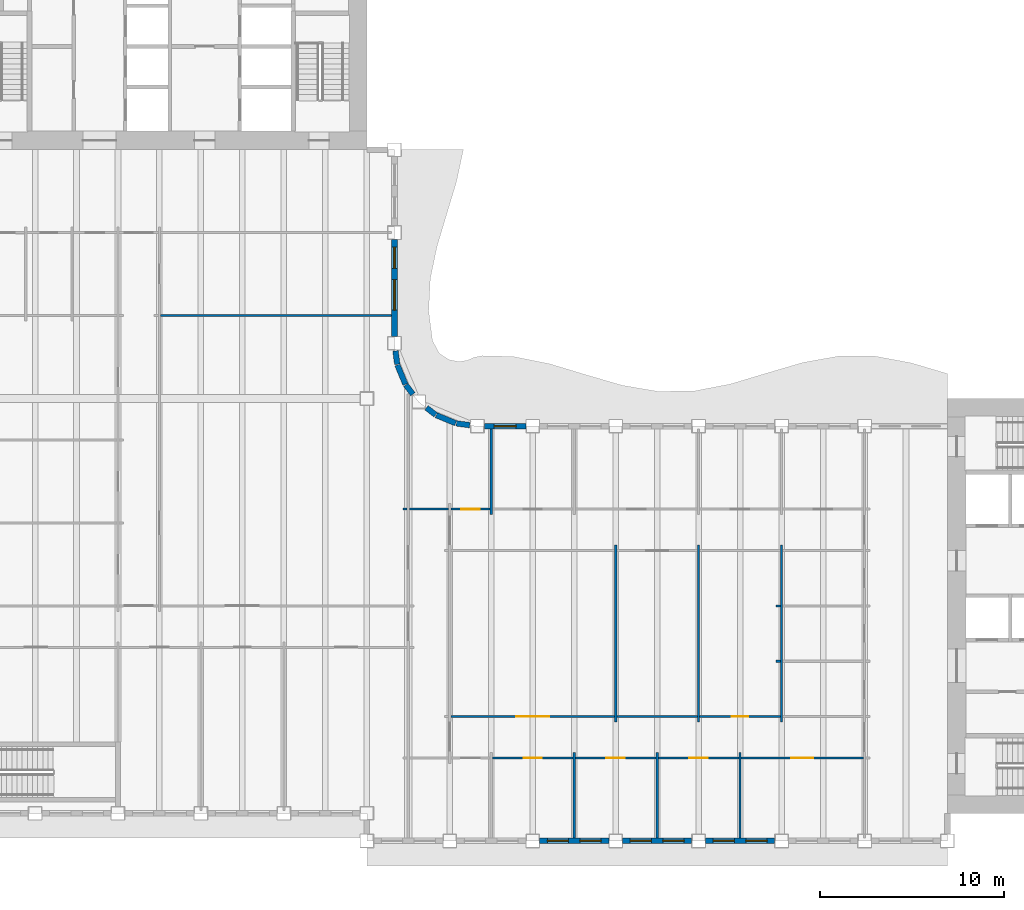
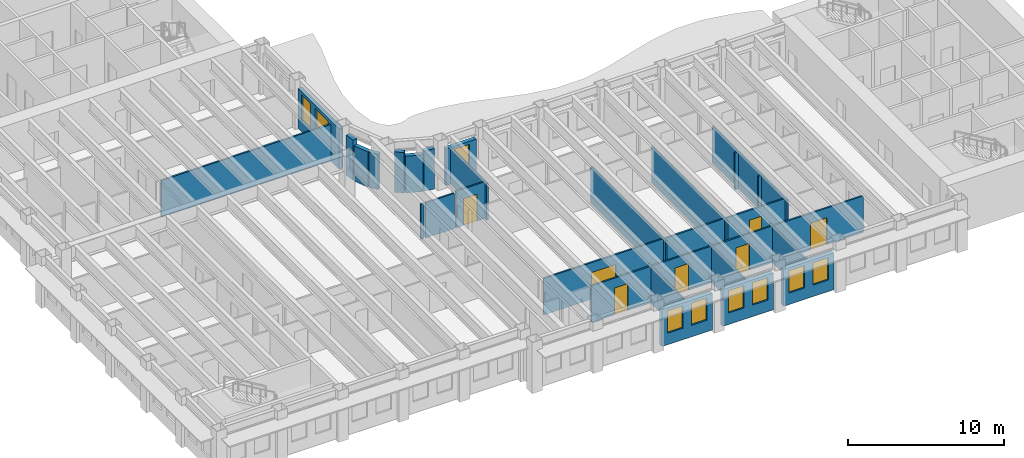
# One storey, part 5 of 17: 31 walls, 9 windows, 7 doors, 16 openings.
"""IFC4 building model written with IfcOpenShell, lengths in metres."""

from ifc_helpers import new_model, si_unit, direction, frame, frame_2d, origin, place, context, subcontext, project, spatial, rectangle, extrude, material, layer, layer_set, type_object, element, fill, save


model = new_model("IFC4")

# Units and contexts
model_context = context("Model", 3, precision=1e-05, world=origin(), true_north=direction((0.0, 1.0)))
body_context = subcontext(model_context, "Body", "Model", "MODEL_VIEW")
ifc_project = project(units=[si_unit("LENGTHUNIT", "METRE"), si_unit("AREAUNIT", "SQUARE_METRE"), si_unit("VOLUMEUNIT", "CUBIC_METRE"), si_unit("PLANEANGLEUNIT", "RADIAN"), si_unit("MASSUNIT", "GRAM", prefix="KILO")], contexts=[model_context])

# Site, building, storey
site_placement = place(None, origin())
site = spatial("IfcSite", under=ifc_project, at=site_placement, CompositionType="ELEMENT")
building_placement = place(site_placement, origin())
building = spatial("IfcBuilding", under=site, at=building_placement, Name="Sennacour Bend Tower", CompositionType="ELEMENT")
storey_placement = place(building_placement, frame((0.0, 0.0, 199.0)))
storey = spatial("IfcBuildingStorey", under=building, at=storey_placement, Name="L45", CompositionType="ELEMENT", Elevation=199.0)

# Walls
ifc_material_1 = material(Name="Plasterboard partition on steel studs", Category="steel")
ifc_layer_1 = layer(ifc_material_1, 0.1201171875, Name="Plasterboard partition on steel studs", Category="steel")
ifc_layer_set_1 = layer_set([ifc_layer_1], Name="Plasterboard partition on steel studs")
wall_type_1 = type_object("IfcWallType", Name="Partition 120", PredefinedType="PARTITIONING", material=ifc_layer_set_1)
for number, where, z_axis, x_axis, name in (
    (1, (29.25, 16.199951171875, 0.0), (0.0, 0.0, 1.0), (0.0, 1.0, 0.0), "P-L45-W030a"),
    (2, (33.75, -1.35009765625, 0.0), (0.0, 0.0, 1.0), (0.0, 1.0, 0.0), "P-L45-W031a"),
):
    element("IfcWall", number, at=place(storey_placement, frame(where, z_axis=z_axis, x_axis=x_axis)), inside=storey, type_object=wall_type_1, Name=name, PredefinedType="PARTITIONING", context=body_context, shape_type="SweptSolid", body=[
        extrude(rectangle(XDim=4.650146484375, YDim=0.1201171875, at=frame_2d((2.3251953125, 0.0))), origin(), (0.0, 0.0, 1.0), 2.8701171875),
    ])
wall_1_placement = place(storey_placement, frame((36.0, 4.949951171875, 0.0), z_axis=(0.0, 0.0, 1.0), x_axis=(0.0, 1.0, 0.0)))
element("IfcWall", 3, at=wall_1_placement, inside=storey, type_object=wall_type_1, Name="P-L45-W033a", PredefinedType="PARTITIONING", context=body_context, shape_type="SweptSolid", body=[
    extrude(rectangle(XDim=9.60009765625, YDim=0.1201171875, at=frame_2d((4.800048828125, 0.0))), origin(), (0.0, 0.0, 1.0), 2.8701171875),
])
wall_2_placement = place(storey_placement, frame((38.25, -1.35009765625, 0.0), z_axis=(0.0, 0.0, 1.0), x_axis=(0.0, 1.0, 0.0)))
element("IfcWall", 4, at=wall_2_placement, inside=storey, type_object=wall_type_1, Name="P-L45-W034a", PredefinedType="PARTITIONING", context=body_context, shape_type="SweptSolid", body=[
    extrude(rectangle(XDim=4.650146484375, YDim=0.1201171875, at=frame_2d((2.3251953125, 0.0))), origin(), (0.0, 0.0, 1.0), 2.8701171875),
])
wall_3_placement = place(storey_placement, frame((40.5, 4.949951171875, 0.0), z_axis=(0.0, 0.0, 1.0), x_axis=(0.0, 1.0, 0.0)))
element("IfcWall", 5, at=wall_3_placement, inside=storey, type_object=wall_type_1, Name="P-L45-W035a", PredefinedType="PARTITIONING", context=body_context, shape_type="SweptSolid", body=[
    extrude(rectangle(XDim=9.60009765625, YDim=0.1201171875, at=frame_2d((4.800048828125, 0.0))), origin(), (0.0, 0.0, 1.0), 2.8701171875),
])
wall_4_placement = place(storey_placement, frame((42.75, -1.35009765625, 0.0), z_axis=(0.0, 0.0, 1.0), x_axis=(0.0, 1.0, 0.0)))
element("IfcWall", 6, at=wall_4_placement, inside=storey, type_object=wall_type_1, Name="P-L45-W037a", PredefinedType="PARTITIONING", context=body_context, shape_type="SweptSolid", body=[
    extrude(rectangle(XDim=4.650146484375, YDim=0.1201171875, at=frame_2d((2.3251953125, 0.0))), origin(), (0.0, 0.0, 1.0), 2.8701171875),
])
wall_5_placement = place(storey_placement, frame((45.0, 4.949951171875, 0.0), z_axis=(0.0, 0.0, 1.0), x_axis=(0.0, 1.0, 0.0)))
element("IfcWall", 7, at=wall_5_placement, inside=storey, type_object=wall_type_1, Name="P-L45-W038a", PredefinedType="PARTITIONING", context=body_context, shape_type="SweptSolid", body=[
    extrude(rectangle(XDim=9.60009765625, YDim=0.1201171875, at=frame_2d((4.800048828125, 0.0))), origin(), (0.0, 0.0, 1.0), 2.8701171875),
])

# Wall, opening, door
wall_6_placement = place(storey_placement, frame((29.31005859375, 3.0, 0.0), z_axis=(0.0, 0.0, 1.0), x_axis=(1.0, 0.0, 0.0)))
wall_6 = element("IfcWall", 8, at=wall_6_placement, inside=storey, type_object=wall_type_1, Name="P-L45-W058ad", PredefinedType="PARTITIONING", context=body_context, shape_type="SweptSolid", body=[
    extrude(rectangle(XDim=4.3798828125, YDim=0.1201171875, at=frame_2d((2.18994140625, 0.0))), origin(), (0.0, 0.0, 1.0), 2.8701171875),
])
opening_1_placement = place(wall_6_placement, frame((1.68994140625, 0.0, 0.0)))
opening_1 = element("IfcOpeningElement", 9, at=opening_1_placement, cuts=wall_6, Name="Opening OD2", PredefinedType="OPENING", context=body_context, shape_type="SweptSolid", body=[
    extrude(rectangle(XDim=1.0, YDim=2.10009765625, at=frame_2d((0.5, 1.050048828125))), frame((0.0, 0.070068359375, 0.0), z_axis=(0.0, -1.0, 0.0), x_axis=(1.0, 0.0, 0.0)), (0.0, 0.0, 1.0), 0.14013671875),
])
ifc_material_2 = material(Name="Timber", Category="wood")
door_type_1 = type_object("IfcDoorType", Name="DR-OFFICE-1000", OperationType="NOTDEFINED", PredefinedType="DOOR", material=ifc_material_2)
door_1_placement = place(opening_1_placement, origin())
door_1 = element("IfcDoor", 10, at=door_1_placement, inside=storey, type_object=door_type_1, Name="Door", OperationType="SINGLE_SWING_LEFT", OverallHeight=2.10009765625, OverallWidth=1.0, PredefinedType="DOOR", context=body_context, shape_type="SweptSolid", body=[
    extrude(rectangle(XDim=1.0, YDim=2.10009765625, at=frame_2d((0.5, 1.050048828125))), frame((0.0, 0.02490234375, 0.0), z_axis=(0.0, -1.0, 0.0), x_axis=(1.0, 0.0, 0.0)), (0.0, 0.0, 1.0), 0.050048828125),
])
fill(opening_1, door_1)

wall_7_placement = place(storey_placement, frame((33.81005859375, 3.0, 0.0), z_axis=(0.0, 0.0, 1.0), x_axis=(1.0, 0.0, 0.0)))
wall_7 = element("IfcWall", 11, at=wall_7_placement, inside=storey, type_object=wall_type_1, Name="P-L45-W058ae", PredefinedType="PARTITIONING", context=body_context, shape_type="SweptSolid", body=[
    extrude(rectangle(XDim=4.3798828125, YDim=0.1201171875, at=frame_2d((2.18994140625, 0.0))), origin(), (0.0, 0.0, 1.0), 2.8701171875),
])
opening_2_placement = place(wall_7_placement, frame((1.68994140625, 0.0, 0.0)))
opening_2 = element("IfcOpeningElement", 12, at=opening_2_placement, cuts=wall_7, Name="Opening OD2", PredefinedType="OPENING", context=body_context, shape_type="SweptSolid", body=[
    extrude(rectangle(XDim=1.0, YDim=2.10009765625, at=frame_2d((0.5, 1.050048828125))), frame((0.0, 0.070068359375, 0.0), z_axis=(0.0, -1.0, 0.0), x_axis=(1.0, 0.0, 0.0)), (0.0, 0.0, 1.0), 0.14013671875),
])
door_2_placement = place(opening_2_placement, origin())
door_2 = element("IfcDoor", 13, at=door_2_placement, inside=storey, type_object=door_type_1, Name="Door", OperationType="SINGLE_SWING_LEFT", OverallHeight=2.10009765625, OverallWidth=1.0, PredefinedType="DOOR", context=body_context, shape_type="SweptSolid", body=[
    extrude(rectangle(XDim=1.0, YDim=2.10009765625, at=frame_2d((0.5, 1.050048828125))), frame((0.0, 0.02490234375, 0.0), z_axis=(0.0, -1.0, 0.0), x_axis=(1.0, 0.0, 0.0)), (0.0, 0.0, 1.0), 0.050048828125),
])
fill(opening_2, door_2)

wall_8_placement = place(storey_placement, frame((38.31005859375, 3.0, 0.0), z_axis=(0.0, 0.0, 1.0), x_axis=(1.0, 0.0, 0.0)))
wall_8 = element("IfcWall", 14, at=wall_8_placement, inside=storey, type_object=wall_type_1, Name="P-L45-W058af", PredefinedType="PARTITIONING", context=body_context, shape_type="SweptSolid", body=[
    extrude(rectangle(XDim=4.3798828125, YDim=0.1201171875, at=frame_2d((2.18994140625, 0.0))), origin(), (0.0, 0.0, 1.0), 2.8701171875),
])
opening_3_placement = place(wall_8_placement, frame((1.68994140625, 0.0, 0.0)))
opening_3 = element("IfcOpeningElement", 15, at=opening_3_placement, cuts=wall_8, Name="Opening OD2", PredefinedType="OPENING", context=body_context, shape_type="SweptSolid", body=[
    extrude(rectangle(XDim=1.0, YDim=2.10009765625, at=frame_2d((0.5, 1.050048828125))), frame((0.0, 0.070068359375, 0.0), z_axis=(0.0, -1.0, 0.0), x_axis=(1.0, 0.0, 0.0)), (0.0, 0.0, 1.0), 0.14013671875),
])
door_3_placement = place(opening_3_placement, origin())
door_3 = element("IfcDoor", 16, at=door_3_placement, inside=storey, type_object=door_type_1, Name="Door", OperationType="SINGLE_SWING_LEFT", OverallHeight=2.10009765625, OverallWidth=1.0, PredefinedType="DOOR", context=body_context, shape_type="SweptSolid", body=[
    extrude(rectangle(XDim=1.0, YDim=2.10009765625, at=frame_2d((0.5, 1.050048828125))), frame((0.0, 0.02490234375, 0.0), z_axis=(0.0, -1.0, 0.0), x_axis=(1.0, 0.0, 0.0)), (0.0, 0.0, 1.0), 0.050048828125),
])
fill(opening_3, door_3)

wall_9_placement = place(storey_placement, frame((42.81005859375, 3.0, 0.0), z_axis=(0.0, 0.0, 1.0), x_axis=(1.0, 0.0, 0.0)))
wall_9 = element("IfcWall", 17, at=wall_9_placement, inside=storey, type_object=wall_type_1, Name="P-L45-W058ag", PredefinedType="PARTITIONING", context=body_context, shape_type="SweptSolid", body=[
    extrude(rectangle(XDim=6.6298828125, YDim=0.1201171875, at=frame_2d((3.31494140625, 0.0))), origin(), (0.0, 0.0, 1.0), 2.8701171875),
])
opening_4_placement = place(wall_9_placement, frame((2.71484375, 0.0, 0.0)))
opening_4 = element("IfcOpeningElement", 18, at=opening_4_placement, cuts=wall_9, Name="Opening OD", PredefinedType="OPENING", context=body_context, shape_type="SweptSolid", body=[
    extrude(rectangle(XDim=1.199951171875, YDim=2.10009765625, at=frame_2d((0.60009765625, 1.050048828125))), frame((0.0, 0.070068359375, 0.0), z_axis=(0.0, -1.0, 0.0), x_axis=(1.0, 0.0, 0.0)), (0.0, 0.0, 1.0), 0.14013671875),
])
door_type_2 = type_object("IfcDoorType", Name="DR-OFFICE-1200", OperationType="NOTDEFINED", PredefinedType="DOOR", material=ifc_material_2)
door_4_placement = place(opening_4_placement, origin())
door_4 = element("IfcDoor", 19, at=door_4_placement, inside=storey, type_object=door_type_2, Name="Door", OperationType="SINGLE_SWING_LEFT", OverallHeight=2.10009765625, OverallWidth=1.199951171875, PredefinedType="DOOR", context=body_context, shape_type="SweptSolid", body=[
    extrude(rectangle(XDim=1.199951171875, YDim=2.10009765625, at=frame_2d((0.60009765625, 1.050048828125))), frame((0.0, 0.02490234375, 0.0), z_axis=(0.0, -1.0, 0.0), x_axis=(1.0, 0.0, 0.0)), (0.0, 0.0, 1.0), 0.050048828125),
])
fill(opening_4, door_4)

wall_10_placement = place(storey_placement, frame((27.06005859375, 5.25, 0.0), z_axis=(0.0, 0.0, 1.0), x_axis=(1.0, 0.0, 0.0)))
wall_10 = element("IfcWall", 20, at=wall_10_placement, inside=storey, type_object=wall_type_1, Name="P-L45-W063ab", PredefinedType="PARTITIONING", context=body_context, shape_type="SweptSolid", body=[
    extrude(rectangle(XDim=8.8798828125, YDim=0.1201171875, at=frame_2d((4.43994140625, 0.0))), origin(), (0.0, 0.0, 1.0), 2.8701171875),
])
opening_5_placement = place(wall_10_placement, frame((3.539794921875, 0.0, 0.0)))
opening_5 = element("IfcOpeningElement", 21, at=opening_5_placement, cuts=wall_10, Name="Opening OD3", PredefinedType="OPENING", context=body_context, shape_type="SweptSolid", body=[
    extrude(rectangle(XDim=1.800048828125, YDim=2.10009765625, at=frame_2d((0.89990234375, 1.050048828125))), frame((0.0, 0.070068359375, 0.0), z_axis=(0.0, -1.0, 0.0), x_axis=(1.0, 0.0, 0.0)), (0.0, 0.0, 1.0), 0.14013671875),
])
door_type_3 = type_object("IfcDoorType", Name="DR-OFFICE-1800", OperationType="NOTDEFINED", PredefinedType="DOOR", material=ifc_material_2)
door_5_placement = place(opening_5_placement, origin())
door_5 = element("IfcDoor", 22, at=door_5_placement, inside=storey, type_object=door_type_3, Name="Door", OperationType="DOUBLE_DOOR_SINGLE_SWING", OverallHeight=2.10009765625, OverallWidth=1.800048828125, PredefinedType="DOOR", context=body_context, shape_type="SweptSolid", body=[
    extrude(rectangle(XDim=1.800048828125, YDim=2.10009765625, at=frame_2d((0.89990234375, 1.050048828125))), frame((0.0, 0.02490234375, 0.0), z_axis=(0.0, -1.0, 0.0), x_axis=(1.0, 0.0, 0.0)), (0.0, 0.0, 1.0), 0.050048828125),
])
fill(opening_5, door_5)

# Walls
wall_11_placement = place(storey_placement, frame((36.06005859375, 5.25, 0.0), z_axis=(0.0, 0.0, 1.0), x_axis=(1.0, 0.0, 0.0)))
element("IfcWall", 23, at=wall_11_placement, inside=storey, type_object=wall_type_1, Name="P-L45-W063ac", PredefinedType="PARTITIONING", context=body_context, shape_type="SweptSolid", body=[
    extrude(rectangle(XDim=4.3798828125, YDim=0.1201171875, at=frame_2d((2.18994140625, 0.0))), origin(), (0.0, 0.0, 1.0), 2.8701171875),
])
for number, where, z_axis, x_axis, name in (
    (24, (44.699951171875, 8.25, 0.0), (0.0, 0.0, 1.0), (1.0, 0.0, 0.0), "P-L45-W065aa"),
    (25, (44.699951171875, 11.25, 0.0), (0.0, 0.0, 1.0), (1.0, 0.0, 0.0), "P-L45-W070aa"),
):
    element("IfcWall", number, at=place(storey_placement, frame(where, z_axis=z_axis, x_axis=x_axis)), inside=storey, type_object=wall_type_1, Name=name, PredefinedType="PARTITIONING", context=body_context, shape_type="SweptSolid", body=[
        extrude(rectangle(XDim=0.239990234375, YDim=0.1201171875, at=frame_2d((0.1201171875, 0.0))), origin(), (0.0, 0.0, 1.0), 2.8701171875),
    ])
wall_12_placement = place(storey_placement, frame((24.449951171875, 16.5, 0.0), z_axis=(0.0, 0.0, 1.0), x_axis=(1.0, 0.0, 0.0)))
element("IfcWall", 26, at=wall_12_placement, inside=storey, type_object=wall_type_1, Name="P-L45-W077aa", PredefinedType="PARTITIONING", context=body_context, shape_type="SweptSolid", body=[
    extrude(rectangle(XDim=0.239990234375, YDim=0.1201171875, at=frame_2d((0.1201171875, 0.0))), origin(), (0.0, 0.0, 1.0), 2.760009765625),
])
wall_13_placement = place(storey_placement, frame((24.81005859375, 16.5, 0.0), z_axis=(0.0, 0.0, 1.0), x_axis=(1.0, 0.0, 0.0)))
element("IfcWall", 27, at=wall_13_placement, inside=storey, type_object=wall_type_1, Name="P-L45-W077ab", PredefinedType="PARTITIONING", context=body_context, shape_type="SweptSolid", body=[
    extrude(rectangle(XDim=2.1298828125, YDim=0.1201171875, at=frame_2d((1.06494140625, 0.0))), origin(), (0.0, 0.0, 1.0), 2.760009765625),
])

# Wall, opening, door
wall_14_placement = place(storey_placement, frame((27.06005859375, 16.5, 0.0), z_axis=(0.0, 0.0, 1.0), x_axis=(1.0, 0.0, 0.0)))
wall_14 = element("IfcWall", 28, at=wall_14_placement, inside=storey, type_object=wall_type_1, Name="P-L45-W077ac", PredefinedType="PARTITIONING", context=body_context, shape_type="SweptSolid", body=[
    extrude(rectangle(XDim=2.1298828125, YDim=0.1201171875, at=frame_2d((1.06494140625, 0.0))), origin(), (0.0, 0.0, 1.0), 2.8701171875),
])
opening_6_placement = place(wall_14_placement, frame((0.56494140625, 0.0, 0.0)))
opening_6 = element("IfcOpeningElement", 29, at=opening_6_placement, cuts=wall_14, Name="Opening OD2", PredefinedType="OPENING", context=body_context, shape_type="SweptSolid", body=[
    extrude(rectangle(XDim=1.0, YDim=2.10009765625, at=frame_2d((0.5, 1.050048828125))), frame((0.0, 0.070068359375, 0.0), z_axis=(0.0, -1.0, 0.0), x_axis=(1.0, 0.0, 0.0)), (0.0, 0.0, 1.0), 0.14013671875),
])
door_6_placement = place(opening_6_placement, origin())
door_6 = element("IfcDoor", 30, at=door_6_placement, inside=storey, type_object=door_type_1, Name="Door", OperationType="SINGLE_SWING_LEFT", OverallHeight=2.10009765625, OverallWidth=1.0, PredefinedType="DOOR", context=body_context, shape_type="SweptSolid", body=[
    extrude(rectangle(XDim=1.0, YDim=2.10009765625, at=frame_2d((0.5, 1.050048828125))), frame((0.0, 0.02490234375, 0.0), z_axis=(0.0, -1.0, 0.0), x_axis=(1.0, 0.0, 0.0)), (0.0, 0.0, 1.0), 0.050048828125),
])
fill(opening_6, door_6)

# Wall
wall_15_placement = place(storey_placement, frame((11.31005859375, 27.0, 0.0), z_axis=(0.0, 0.0, 1.0), x_axis=(1.0, 0.0, 0.0)))
element("IfcWall", 31, at=wall_15_placement, inside=storey, type_object=wall_type_1, Name="P-L45-W085ab", PredefinedType="PARTITIONING", context=body_context, shape_type="SweptSolid", body=[
    extrude(rectangle(XDim=12.5400390625, YDim=0.1201171875, at=frame_2d((6.27001953125, 0.0))), origin(), (0.0, 0.0, 1.0), 2.8701171875),
])

# Wall, opening, door
ifc_layer_2 = layer(ifc_material_1, 0.1201171875, Name="Plasterboard partition on steel studs", Category="steel")
ifc_layer_set_2 = layer_set([ifc_layer_2], Name="Plasterboard partition on steel studs")
wall_type_2 = type_object("IfcWallType", Name="Partition 120 EI 60", PredefinedType="PARTITIONING", material=ifc_layer_set_2)
wall_16_placement = place(storey_placement, frame((40.56005859375, 5.25, 0.0), z_axis=(0.0, 0.0, 1.0), x_axis=(1.0, 0.0, 0.0)))
wall_16 = element("IfcWall", 32, at=wall_16_placement, inside=storey, type_object=wall_type_2, Name="P-L45-W063ad", PredefinedType="PARTITIONING", context=body_context, shape_type="SweptSolid", body=[
    extrude(rectangle(XDim=4.3798828125, YDim=0.1201171875, at=frame_2d((2.18994140625, 0.0))), origin(), (0.0, 0.0, 1.0), 2.8701171875),
])
opening_7_placement = place(wall_16_placement, frame((1.739990234375, 0.0, 0.0)))
opening_7 = element("IfcOpeningElement", 33, at=opening_7_placement, cuts=wall_16, Name="Opening SV", PredefinedType="OPENING", context=body_context, shape_type="SweptSolid", body=[
    extrude(rectangle(XDim=0.89990234375, YDim=2.10009765625, at=frame_2d((0.449951171875, 1.050048828125))), frame((0.0, 0.070068359375, 0.0), z_axis=(0.0, -1.0, 0.0), x_axis=(1.0, 0.0, 0.0)), (0.0, 0.0, 1.0), 0.14013671875),
])
ifc_material_3 = material(Name="Painted steel", Category="steel")
door_type_4 = type_object("IfcDoorType", Name="DR-SERVICE-900", OperationType="NOTDEFINED", PredefinedType="DOOR", material=ifc_material_3)
door_7_placement = place(opening_7_placement, origin())
door_7 = element("IfcDoor", 34, at=door_7_placement, inside=storey, type_object=door_type_4, Name="Door", OperationType="SINGLE_SWING_LEFT", OverallHeight=2.10009765625, OverallWidth=0.89990234375, PredefinedType="DOOR", context=body_context, shape_type="SweptSolid", body=[
    extrude(rectangle(XDim=0.89990234375, YDim=2.10009765625, at=frame_2d((0.449951171875, 1.050048828125))), frame((0.0, 0.02490234375, 0.0), z_axis=(0.0, -1.0, 0.0), x_axis=(1.0, 0.0, 0.0)), (0.0, 0.0, 1.0), 0.050048828125),
])
fill(opening_7, door_7)

# Wall, openings, windows
ifc_material_4 = material(Name="Warm limestone cladding", Category="masonry")
ifc_layer_3 = layer(ifc_material_4, 0.050048828125, Name="Warm limestone cladding", Category="masonry")
ifc_material_5 = material(Name="Precast concrete C40/50", Category="concrete")
ifc_layer_4 = layer(ifc_material_5, 0.25, Name="Precast concrete C40/50", Category="concrete")
ifc_layer_set_3 = layer_set([ifc_layer_3, ifc_layer_4], Name="Precast concrete C40/50 with limestone cladding")
wall_type_3 = type_object("IfcWallType", Name="STONE-CLAD PRECAST SPANDREL 300", PredefinedType="STANDARD", material=ifc_layer_set_3)
wall_17_placement = place(storey_placement, frame((31.875, -1.5, 0.0), z_axis=(0.0, 0.0, 1.0), x_axis=(1.0, 0.0, 0.0)))
wall_17 = element("IfcWall", 35, at=wall_17_placement, inside=storey, type_object=wall_type_3, Name="Stone spandrel and pier wall L45 00.02", PredefinedType="STANDARD", context=body_context, shape_type="SweptSolid", body=[
    extrude(rectangle(XDim=3.75, YDim=0.300048828125, at=frame_2d((1.875, 0.0))), origin(), (0.0, 0.0, 1.0), 2.8701171875),
])
opening_8_placement = place(wall_17_placement, frame((0.41259765625, 0.0, 0.89990234375)))
opening_8 = element("IfcOpeningElement", 36, at=opening_8_placement, cuts=wall_17, Name="Opening W23", PredefinedType="OPENING", context=body_context, shape_type="SweptSolid", body=[
    extrude(rectangle(XDim=1.14990234375, YDim=1.75, at=frame_2d((0.574951171875, 0.875))), frame((0.0, 0.16015625, 0.0), z_axis=(0.0, -1.0, 0.0), x_axis=(1.0, 0.0, 0.0)), (0.0, 0.0, 1.0), 0.320068359375),
])
opening_9_placement = place(wall_17_placement, frame((2.1875, 0.0, 0.89990234375)))
opening_9 = element("IfcOpeningElement", 37, at=opening_9_placement, cuts=wall_17, Name="Opening W23", PredefinedType="OPENING", context=body_context, shape_type="SweptSolid", body=[
    extrude(rectangle(XDim=1.14990234375, YDim=1.75, at=frame_2d((0.574951171875, 0.875))), frame((0.0, 0.16015625, 0.0), z_axis=(0.0, -1.0, 0.0), x_axis=(1.0, 0.0, 0.0)), (0.0, 0.0, 1.0), 0.320068359375),
])
ifc_material_6 = material(Name="Clear low-emissivity glass", Category="glass")
window_type_1 = type_object("IfcWindowType", Name="WIN-RIBBON-1150x1750", PartitioningType="SINGLE_PANEL", PredefinedType="WINDOW", material=ifc_material_6)
window_1_placement = place(opening_8_placement, origin())
window_1 = element("IfcWindow", 38, at=window_1_placement, inside=storey, type_object=window_type_1, Name="Ribbon window L45 00.02.0", OverallHeight=1.75, OverallWidth=1.14990234375, PartitioningType="SINGLE_PANEL", PredefinedType="WINDOW", context=body_context, shape_type="SweptSolid", body=[
    extrude(rectangle(XDim=1.14990234375, YDim=1.75, at=frame_2d((0.574951171875, 0.875))), frame((0.0, 0.030029296875, 0.0), z_axis=(0.0, -1.0, 0.0), x_axis=(1.0, 0.0, 0.0)), (0.0, 0.0, 1.0), 0.06005859375),
])
fill(opening_8, window_1)
window_2_placement = place(opening_9_placement, origin())
window_2 = element("IfcWindow", 39, at=window_2_placement, inside=storey, type_object=window_type_1, Name="Ribbon window L45 00.02.1", OverallHeight=1.75, OverallWidth=1.14990234375, PartitioningType="SINGLE_PANEL", PredefinedType="WINDOW", context=body_context, shape_type="SweptSolid", body=[
    extrude(rectangle(XDim=1.14990234375, YDim=1.75, at=frame_2d((0.574951171875, 0.875))), frame((0.0, 0.030029296875, 0.0), z_axis=(0.0, -1.0, 0.0), x_axis=(1.0, 0.0, 0.0)), (0.0, 0.0, 1.0), 0.06005859375),
])
fill(opening_9, window_2)

wall_18_placement = place(storey_placement, frame((36.375, -1.5, 0.0), z_axis=(0.0, 0.0, 1.0), x_axis=(1.0, 0.0, 0.0)))
wall_18 = element("IfcWall", 40, at=wall_18_placement, inside=storey, type_object=wall_type_3, Name="Stone spandrel and pier wall L45 00.03", PredefinedType="STANDARD", context=body_context, shape_type="SweptSolid", body=[
    extrude(rectangle(XDim=3.75, YDim=0.300048828125, at=frame_2d((1.875, 0.0))), origin(), (0.0, 0.0, 1.0), 2.8701171875),
])
opening_10_placement = place(wall_18_placement, frame((0.41259765625, 0.0, 0.89990234375)))
opening_10 = element("IfcOpeningElement", 41, at=opening_10_placement, cuts=wall_18, Name="Opening W23", PredefinedType="OPENING", context=body_context, shape_type="SweptSolid", body=[
    extrude(rectangle(XDim=1.14990234375, YDim=1.75, at=frame_2d((0.574951171875, 0.875))), frame((0.0, 0.16015625, 0.0), z_axis=(0.0, -1.0, 0.0), x_axis=(1.0, 0.0, 0.0)), (0.0, 0.0, 1.0), 0.320068359375),
])
opening_11_placement = place(wall_18_placement, frame((2.1875, 0.0, 0.89990234375)))
opening_11 = element("IfcOpeningElement", 42, at=opening_11_placement, cuts=wall_18, Name="Opening W23", PredefinedType="OPENING", context=body_context, shape_type="SweptSolid", body=[
    extrude(rectangle(XDim=1.14990234375, YDim=1.75, at=frame_2d((0.574951171875, 0.875))), frame((0.0, 0.16015625, 0.0), z_axis=(0.0, -1.0, 0.0), x_axis=(1.0, 0.0, 0.0)), (0.0, 0.0, 1.0), 0.320068359375),
])
window_3_placement = place(opening_10_placement, origin())
window_3 = element("IfcWindow", 43, at=window_3_placement, inside=storey, type_object=window_type_1, Name="Ribbon window L45 00.03.0", OverallHeight=1.75, OverallWidth=1.14990234375, PartitioningType="SINGLE_PANEL", PredefinedType="WINDOW", context=body_context, shape_type="SweptSolid", body=[
    extrude(rectangle(XDim=1.14990234375, YDim=1.75, at=frame_2d((0.574951171875, 0.875))), frame((0.0, 0.030029296875, 0.0), z_axis=(0.0, -1.0, 0.0), x_axis=(1.0, 0.0, 0.0)), (0.0, 0.0, 1.0), 0.06005859375),
])
fill(opening_10, window_3)
window_4_placement = place(opening_11_placement, origin())
window_4 = element("IfcWindow", 44, at=window_4_placement, inside=storey, type_object=window_type_1, Name="Ribbon window L45 00.03.1", OverallHeight=1.75, OverallWidth=1.14990234375, PartitioningType="SINGLE_PANEL", PredefinedType="WINDOW", context=body_context, shape_type="SweptSolid", body=[
    extrude(rectangle(XDim=1.14990234375, YDim=1.75, at=frame_2d((0.574951171875, 0.875))), frame((0.0, 0.030029296875, 0.0), z_axis=(0.0, -1.0, 0.0), x_axis=(1.0, 0.0, 0.0)), (0.0, 0.0, 1.0), 0.06005859375),
])
fill(opening_11, window_4)

wall_19_placement = place(storey_placement, frame((40.875, -1.5, 0.0), z_axis=(0.0, 0.0, 1.0), x_axis=(1.0, 0.0, 0.0)))
wall_19 = element("IfcWall", 45, at=wall_19_placement, inside=storey, type_object=wall_type_3, Name="Stone spandrel and pier wall L45 00.04", PredefinedType="STANDARD", context=body_context, shape_type="SweptSolid", body=[
    extrude(rectangle(XDim=3.75, YDim=0.300048828125, at=frame_2d((1.875, 0.0))), origin(), (0.0, 0.0, 1.0), 2.8701171875),
])
opening_12_placement = place(wall_19_placement, frame((0.41259765625, 0.0, 0.89990234375)))
opening_12 = element("IfcOpeningElement", 46, at=opening_12_placement, cuts=wall_19, Name="Opening W23", PredefinedType="OPENING", context=body_context, shape_type="SweptSolid", body=[
    extrude(rectangle(XDim=1.14990234375, YDim=1.75, at=frame_2d((0.574951171875, 0.875))), frame((0.0, 0.16015625, 0.0), z_axis=(0.0, -1.0, 0.0), x_axis=(1.0, 0.0, 0.0)), (0.0, 0.0, 1.0), 0.320068359375),
])
opening_13_placement = place(wall_19_placement, frame((2.1875, 0.0, 0.89990234375)))
opening_13 = element("IfcOpeningElement", 47, at=opening_13_placement, cuts=wall_19, Name="Opening W23", PredefinedType="OPENING", context=body_context, shape_type="SweptSolid", body=[
    extrude(rectangle(XDim=1.14990234375, YDim=1.75, at=frame_2d((0.574951171875, 0.875))), frame((0.0, 0.16015625, 0.0), z_axis=(0.0, -1.0, 0.0), x_axis=(1.0, 0.0, 0.0)), (0.0, 0.0, 1.0), 0.320068359375),
])
window_5_placement = place(opening_12_placement, origin())
window_5 = element("IfcWindow", 48, at=window_5_placement, inside=storey, type_object=window_type_1, Name="Ribbon window L45 00.04.0", OverallHeight=1.75, OverallWidth=1.14990234375, PartitioningType="SINGLE_PANEL", PredefinedType="WINDOW", context=body_context, shape_type="SweptSolid", body=[
    extrude(rectangle(XDim=1.14990234375, YDim=1.75, at=frame_2d((0.574951171875, 0.875))), frame((0.0, 0.030029296875, 0.0), z_axis=(0.0, -1.0, 0.0), x_axis=(1.0, 0.0, 0.0)), (0.0, 0.0, 1.0), 0.06005859375),
])
fill(opening_12, window_5)
window_6_placement = place(opening_13_placement, origin())
window_6 = element("IfcWindow", 49, at=window_6_placement, inside=storey, type_object=window_type_1, Name="Ribbon window L45 00.04.1", OverallHeight=1.75, OverallWidth=1.14990234375, PartitioningType="SINGLE_PANEL", PredefinedType="WINDOW", context=body_context, shape_type="SweptSolid", body=[
    extrude(rectangle(XDim=1.14990234375, YDim=1.75, at=frame_2d((0.574951171875, 0.875))), frame((0.0, 0.030029296875, 0.0), z_axis=(0.0, -1.0, 0.0), x_axis=(1.0, 0.0, 0.0)), (0.0, 0.0, 1.0), 0.06005859375),
])
fill(opening_13, window_6)

# Wall, opening, window
wall_20_placement = place(storey_placement, frame((31.125, 21.0, 0.0), z_axis=(0.0, 0.0, 1.0), x_axis=(-1.0, 0.0, 0.0)))
wall_20 = element("IfcWall", 50, at=wall_20_placement, inside=storey, type_object=wall_type_3, Name="Stone spandrel and pier wall L45 06.05", PredefinedType="STANDARD", context=body_context, shape_type="SweptSolid", body=[
    extrude(rectangle(XDim=2.25, YDim=0.300048828125, at=frame_2d((1.125, 0.0))), origin(), (0.0, 0.0, 1.0), 2.8701171875),
])
opening_14_placement = place(wall_20_placement, frame((0.52490234375, 0.0, 0.89990234375)))
opening_14 = element("IfcOpeningElement", 51, at=opening_14_placement, cuts=wall_20, Name="Opening W16", PredefinedType="OPENING", context=body_context, shape_type="SweptSolid", body=[
    extrude(rectangle(XDim=1.199951171875, YDim=1.75, at=frame_2d((0.60009765625, 0.875))), frame((0.0, 0.16015625, 0.0), z_axis=(0.0, -1.0, 0.0), x_axis=(1.0, 0.0, 0.0)), (0.0, 0.0, 1.0), 0.320068359375),
])
window_type_2 = type_object("IfcWindowType", Name="WIN-RIBBON-1200x1750", PartitioningType="SINGLE_PANEL", PredefinedType="WINDOW", material=ifc_material_6)
window_7_placement = place(opening_14_placement, origin())
window_7 = element("IfcWindow", 52, at=window_7_placement, inside=storey, type_object=window_type_2, Name="Ribbon window L45 06.05", OverallHeight=1.75, OverallWidth=1.199951171875, PartitioningType="SINGLE_PANEL", PredefinedType="WINDOW", context=body_context, shape_type="SweptSolid", body=[
    extrude(rectangle(XDim=1.199951171875, YDim=1.75, at=frame_2d((0.60009765625, 0.875))), frame((0.0, 0.030029296875, 0.0), z_axis=(0.0, -1.0, 0.0), x_axis=(1.0, 0.0, 0.0)), (0.0, 0.0, 1.0), 0.06005859375),
])
fill(opening_14, window_7)

# Walls
wall_21_placement = place(storey_placement, frame((28.0830078125, 21.054931640625, 0.0), z_axis=(0.0, 0.0, 1.0), x_axis=(-0.99142711513, 0.130660917588, 0.0)))
element("IfcWall", 53, at=wall_21_placement, inside=storey, type_object=wall_type_3, Name="Stone spandrel and pier wall L45 07.00", PredefinedType="STANDARD", context=body_context, shape_type="SweptSolid", body=[
    extrude(rectangle(XDim=0.734375, YDim=0.300048828125, at=frame_2d((0.3671875, 0.0))), origin(), (0.0, 0.0, 1.0), 3.156982421875),
])
wall_22_placement = place(storey_placement, frame((27.317138671875, 21.160888671875, 0.0), z_axis=(0.0, 0.0, 1.0), x_axis=(-0.923914616768, 0.382598720491, 0.0)))
element("IfcWall", 54, at=wall_22_placement, inside=storey, type_object=wall_type_3, Name="Stone spandrel and pier wall L45 08.00", PredefinedType="STANDARD", context=body_context, shape_type="SweptSolid", body=[
    extrude(rectangle(XDim=1.13525390625, YDim=0.300048828125, at=frame_2d((0.567626953125, 0.0))), origin(), (0.0, 0.0, 1.0), 2.8701171875),
])
wall_23_placement = place(storey_placement, frame((26.234375, 21.614990234375, 0.0), z_axis=(0.0, 0.0, 1.0), x_axis=(-0.793575131083, 0.608472276547, 0.0)))
element("IfcWall", 55, at=wall_23_placement, inside=storey, type_object=wall_type_3, Name="Stone spandrel and pier wall L45 09.00", PredefinedType="STANDARD", context=body_context, shape_type="SweptSolid", body=[
    extrude(rectangle(XDim=0.629150390625, YDim=0.300048828125, at=frame_2d((0.314453125, 0.0))), origin(), (0.0, 0.0, 1.0), 3.156982421875),
])
wall_24_placement = place(storey_placement, frame((24.997802734375, 22.735107421875, 0.0), z_axis=(0.0, 0.0, 1.0), x_axis=(-0.608472276547, 0.793575131083, 0.0)))
element("IfcWall", 56, at=wall_24_placement, inside=storey, type_object=wall_type_3, Name="Stone spandrel and pier wall L45 10.00", PredefinedType="STANDARD", context=body_context, shape_type="SweptSolid", body=[
    extrude(rectangle(XDim=0.629150390625, YDim=0.300048828125, at=frame_2d((0.314453125, 0.0))), origin(), (0.0, 0.0, 1.0), 2.760009765625),
])
wall_25_placement = place(storey_placement, frame((24.59521484375, 23.268310546875, 0.0), z_axis=(0.0, 0.0, 1.0), x_axis=(-0.382598720491, 0.923914616768, 0.0)))
element("IfcWall", 57, at=wall_25_placement, inside=storey, type_object=wall_type_3, Name="Stone spandrel and pier wall L45 11.00", PredefinedType="STANDARD", context=body_context, shape_type="SweptSolid", body=[
    extrude(rectangle(XDim=1.13525390625, YDim=0.300048828125, at=frame_2d((0.567626953125, 0.0))), origin(), (0.0, 0.0, 1.0), 2.760009765625),
])
wall_26_placement = place(storey_placement, frame((24.15087890625, 24.35498046875, 0.0), z_axis=(0.0, 0.0, 1.0), x_axis=(-0.130660917588, 0.99142711513, 0.0)))
element("IfcWall", 58, at=wall_26_placement, inside=storey, type_object=wall_type_3, Name="Stone spandrel and pier wall L45 12.00", PredefinedType="STANDARD", context=body_context, shape_type="SweptSolid", body=[
    extrude(rectangle(XDim=0.734375, YDim=0.300048828125, at=frame_2d((0.3671875, 0.0))), origin(), (0.0, 0.0, 1.0), 3.156982421875),
])

# Wall, openings, windows
wall_27_placement = place(storey_placement, frame((24.0, 25.875, 0.0), z_axis=(0.0, 0.0, 1.0), x_axis=(0.0, 1.0, 0.0)))
wall_27 = element("IfcWall", 59, at=wall_27_placement, inside=storey, type_object=wall_type_3, Name="Stone spandrel and pier wall L45 13.00", PredefinedType="STANDARD", context=body_context, shape_type="SweptSolid", body=[
    extrude(rectangle(XDim=5.25, YDim=0.300048828125, at=frame_2d((2.625, 0.0))), origin(), (0.0, 0.0, 1.0), 3.156982421875),
])
opening_15_placement = place(wall_27_placement, frame((1.425048828125, 0.0, 0.89990234375)))
opening_15 = element("IfcOpeningElement", 60, at=opening_15_placement, cuts=wall_27, Name="Opening W10", PredefinedType="OPENING", context=body_context, shape_type="SweptSolid", body=[
    extrude(rectangle(XDim=1.64990234375, YDim=2.0, at=frame_2d((0.824951171875, 1.0))), frame((0.0, 0.16015625, 0.0), z_axis=(0.0, -1.0, 0.0), x_axis=(1.0, 0.0, 0.0)), (0.0, 0.0, 1.0), 0.320068359375),
])
opening_16_placement = place(wall_27_placement, frame((3.6875, 0.0, 0.89990234375)))
opening_16 = element("IfcOpeningElement", 61, at=opening_16_placement, cuts=wall_27, Name="Opening W24", PredefinedType="OPENING", context=body_context, shape_type="SweptSolid", body=[
    extrude(rectangle(XDim=1.14990234375, YDim=2.0, at=frame_2d((0.574951171875, 1.0))), frame((0.0, 0.16015625, 0.0), z_axis=(0.0, -1.0, 0.0), x_axis=(1.0, 0.0, 0.0)), (0.0, 0.0, 1.0), 0.320068359375),
])
window_type_3 = type_object("IfcWindowType", Name="WIN-RIBBON-1150x2000", PartitioningType="SINGLE_PANEL", PredefinedType="WINDOW", material=ifc_material_6)
window_8_placement = place(opening_16_placement, origin())
window_8 = element("IfcWindow", 62, at=window_8_placement, inside=storey, type_object=window_type_3, Name="Ribbon window L45 13.00.1", OverallHeight=2.0, OverallWidth=1.14990234375, PartitioningType="SINGLE_PANEL", PredefinedType="WINDOW", context=body_context, shape_type="SweptSolid", body=[
    extrude(rectangle(XDim=1.14990234375, YDim=2.0, at=frame_2d((0.574951171875, 1.0))), frame((0.0, 0.030029296875, 0.0), z_axis=(0.0, -1.0, 0.0), x_axis=(1.0, 0.0, 0.0)), (0.0, 0.0, 1.0), 0.06005859375),
])
fill(opening_16, window_8)
window_type_4 = type_object("IfcWindowType", Name="WIN-RIBBON-1650x2000", PartitioningType="SINGLE_PANEL", PredefinedType="WINDOW", material=ifc_material_6)
window_9_placement = place(opening_15_placement, origin())
window_9 = element("IfcWindow", 63, at=window_9_placement, inside=storey, type_object=window_type_4, Name="Ribbon window L45 13.00.0", OverallHeight=2.0, OverallWidth=1.64990234375, PartitioningType="SINGLE_PANEL", PredefinedType="WINDOW", context=body_context, shape_type="SweptSolid", body=[
    extrude(rectangle(XDim=1.64990234375, YDim=2.0, at=frame_2d((0.824951171875, 1.0))), frame((0.0, 0.030029296875, 0.0), z_axis=(0.0, -1.0, 0.0), x_axis=(1.0, 0.0, 0.0)), (0.0, 0.0, 1.0), 0.06005859375),
])
fill(opening_15, window_9)

save(model, "model.ifc")
